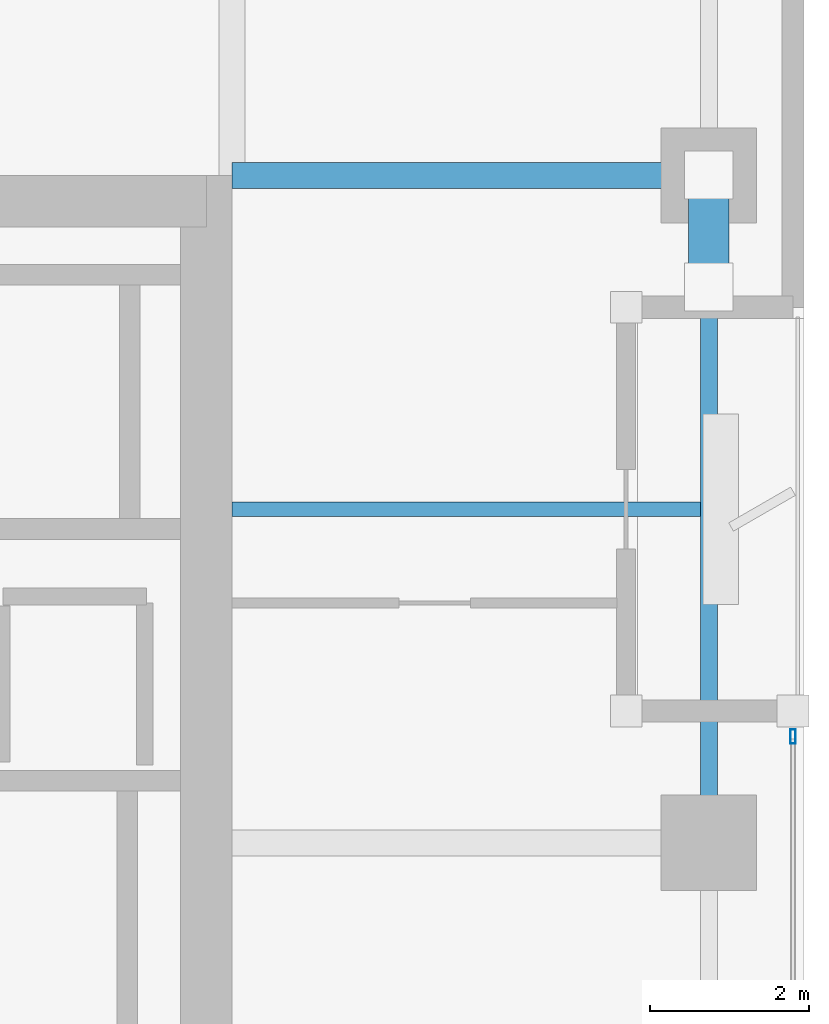
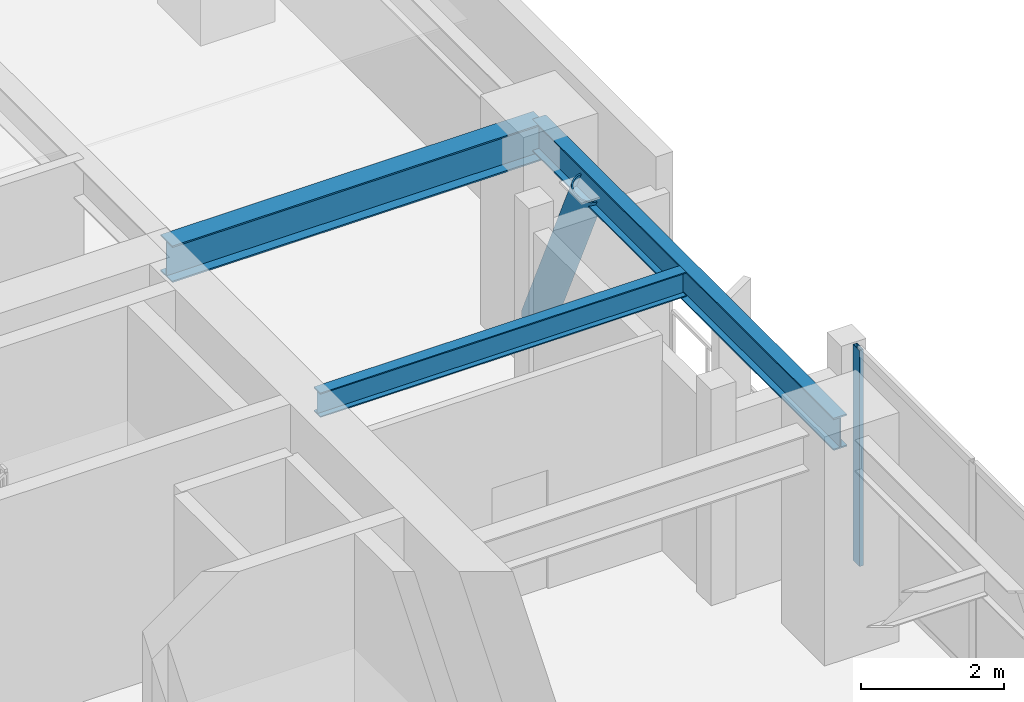
# One storey, part 7 of 26: 3 beams, 2 members, 1 element without a shape of its own.
"""IFC4 building model written with IfcOpenShell, lengths in metres."""

from ifc_helpers import new_model, si_unit, direction, frame, origin, origin_2d, place, context, subcontext, project, spatial, hollow_rectangle, hollow_circle, i_section, extrude, material, layer, layer_set, material_profile, profile_set, type_object, element, aggregate, save


model = new_model("IFC4")

# Units and contexts
model_context = context("Model", 3, precision=1e-05, world=origin(), true_north=direction((0.0, 1.0)))
body_context = subcontext(model_context, "Body", "Model", "MODEL_VIEW")
ifc_project = project(units=[si_unit("LENGTHUNIT", "METRE"), si_unit("AREAUNIT", "SQUARE_METRE"), si_unit("VOLUMEUNIT", "CUBIC_METRE"), si_unit("PLANEANGLEUNIT", "RADIAN"), si_unit("MASSUNIT", "GRAM", prefix="KILO")], contexts=[model_context])

# Site, building, storey
site_placement = place(None, origin())
site = spatial("IfcSite", under=ifc_project, at=site_placement, CompositionType="ELEMENT")
building_placement = place(site_placement, origin())
building = spatial("IfcBuilding", under=site, at=building_placement, Name="Kiyonajd Concourse Tower", CompositionType="ELEMENT")
storey_placement = place(building_placement, frame((0.0, 0.0, 186.300048828125)))
storey = spatial("IfcBuildingStorey", under=building, at=storey_placement, Name="L47", CompositionType="ELEMENT", Elevation=186.300048828125)

# Beams
ifc_material_1 = material(Name="Steel ASTM A992 Grade 50", Category="steel")
ifc_material_profile_1 = material_profile(ifc_material_1, i_section(OverallWidth=0.180908203125, OverallDepth=0.4169921875, WebThickness=0.010986328125, FlangeThickness=0.018310546875, at=origin_2d()), Name="W410X85")
ifc_profile_set_1 = profile_set([ifc_material_profile_1], Name="Steel ASTM A992 Grade 50")
beam_type_1 = type_object("IfcBeamType", Name="BM-JST-410", PredefinedType="JOIST", material=ifc_profile_set_1)
beam_1_placement = place(storey_placement, frame((63.60009765625, 40.199951171875, 3.471435546875), z_axis=(1.0, 0.0, 0.0), x_axis=(0.0, 1.0, 0.0)))
element("IfcBeam", 1, at=beam_1_placement, inside=storey, type_object=beam_type_1, Name="L47 East Secondary Floor Joist", PredefinedType="JOIST", context=body_context, shape_type="SweptSolid", body=[
    extrude(i_section(OverallWidth=0.180908203125, OverallDepth=0.4169921875, WebThickness=0.010986328125, FlangeThickness=0.018310546875, at=origin_2d()), origin(), (0.0, 0.0, 1.0), 5.892822265625),
])
ifc_material_profile_2 = material_profile(ifc_material_1, i_section(OverallWidth=0.214111328125, OverallDepth=0.549072265625, WebThickness=0.0146484375, FlangeThickness=0.023681640625, at=origin_2d()), Name="W530X138")
ifc_profile_set_2 = profile_set([ifc_material_profile_2], Name="Steel ASTM A992 Grade 50")
beam_type_2 = type_object("IfcBeamType", Name="BM-SPAN-530A", PredefinedType="SPANDREL", material=ifc_profile_set_2)
beam_2_placement = place(storey_placement, frame((69.60009765625, 36.0, 3.405517578125), z_axis=(0.0, 1.0, 0.0), x_axis=(-1.0, 0.0, 0.0)))
element("IfcBeam", 2, at=beam_2_placement, inside=storey, type_object=beam_type_2, Name="L47 Perimeter Bundled Tube Spandrel", PredefinedType="SPANDREL", context=body_context, shape_type="SweptSolid", body=[
    extrude(i_section(OverallWidth=0.214111328125, OverallDepth=0.549072265625, WebThickness=0.0146484375, FlangeThickness=0.023681640625, at=origin_2d()), origin(), (0.0, 0.0, 1.0), 8.39990234375),
])
ifc_material_profile_3 = material_profile(ifc_material_1, i_section(OverallWidth=0.326904296875, OverallDepth=0.6220703125, WebThickness=0.015380859375, FlangeThickness=0.0244140625, at=origin_2d()), Name="W610X195")
ifc_profile_set_3 = profile_set([ifc_material_profile_3], Name="Steel ASTM A992 Grade 50")
beam_type_3 = type_object("IfcBeamType", Name="BM-TWR-610A", PredefinedType="BEAM", material=ifc_profile_set_3)
beam_3_placement = place(storey_placement, frame((63.60009765625, 44.39990234375, 3.368896484375), z_axis=(1.0, 0.0, 0.0), x_axis=(0.0, 1.0, 0.0)))
element("IfcBeam", 3, at=beam_3_placement, inside=storey, type_object=beam_type_3, Name="L47 East Lease Girder", PredefinedType="BEAM", context=body_context, shape_type="SweptSolid", body=[
    extrude(i_section(OverallWidth=0.326904296875, OverallDepth=0.6220703125, WebThickness=0.015380859375, FlangeThickness=0.0244140625, at=origin_2d()), origin(), (0.0, 0.0, 1.0), 6.0),
])

# Curtain wall, member
ifc_material_2 = material(Name="Thermally Broken Anodised Aluminium", Category="aluminium")
ifc_layer = layer(ifc_material_2, 0.179931640625)
ifc_layer_set = layer_set([ifc_layer], Name="Thermally Broken Anodised Aluminium")
curtain_wall_type = type_object("IfcCurtainWallType", Name="CW-SYS-03", PredefinedType="NOTDEFINED", material=ifc_layer_set)
curtain_wall_placement = place(storey_placement, origin())
curtain_wall = element("IfcCurtainWall", 4, at=curtain_wall_placement, inside=storey, type_object=curtain_wall_type, Name="L47 Unitised Curtain Wall CW3", PredefinedType="NOTDEFINED")
ifc_material_profile_4 = material_profile(ifc_material_2, hollow_rectangle(XDim=0.06494140625, YDim=0.179931640625, WallThickness=0.00390625, at=origin_2d()), Name="MULL-65x180")
ifc_profile_set_4 = profile_set([ifc_material_profile_4], Name="Thermally Broken Anodised Aluminium")
member_type_1 = type_object("IfcMemberType", Name="MB-CW-MULL1", PredefinedType="MULLION", material=ifc_profile_set_4)
member_1_placement = place(storey_placement, frame((70.659912109375, 37.33740234375, 0.0), z_axis=(0.0, 0.0, 1.0), x_axis=(1.0, 0.0, 0.0)))
member_1 = element("IfcMember", 5, at=member_1_placement, type_object=member_type_1, Name="CW3 mullion 1", PredefinedType="MULLION", context=body_context, shape_type="SweptSolid", body=[
    extrude(hollow_rectangle(XDim=0.06494140625, YDim=0.179931640625, WallThickness=0.00390625, at=origin_2d()), origin(), (0.0, 0.0, 1.0), 3.679931640625),
])
aggregate(curtain_wall, [member_1])

# Member
ifc_material_3 = material(Name="Steel ASTM A500 Grade C", Category="steel")
ifc_material_profile_5 = material_profile(ifc_material_3, hollow_circle(Radius=0.25390625, WallThickness=0.02197265625, at=origin_2d()), Name="CHS-508x22")
ifc_profile_set_5 = profile_set([ifc_material_profile_5], Name="Steel ASTM A500 Grade C")
member_type_2 = type_object("IfcMemberType", Name="MB-PB-MID", PredefinedType="BRACE", material=ifc_profile_set_5)
member_2_placement = place(storey_placement, frame((69.60009765625, 44.39990234375, 0.300048828125), z_axis=(0.0, -0.419438517439, 0.907783746323), x_axis=(1.0, 0.0, 0.0)))
element("IfcMember", 6, at=member_2_placement, inside=storey, type_object=member_type_2, Name="L47 Upper Zone Hollow Tube Brace PBE", PredefinedType="BRACE", context=body_context, shape_type="SweptSolid", body=[
    extrude(hollow_circle(Radius=0.25390625, WallThickness=0.02197265625, at=origin_2d()), origin(), (0.0, 0.0, 1.0), 3.337646484375),
])

save(model, "model.ifc")
